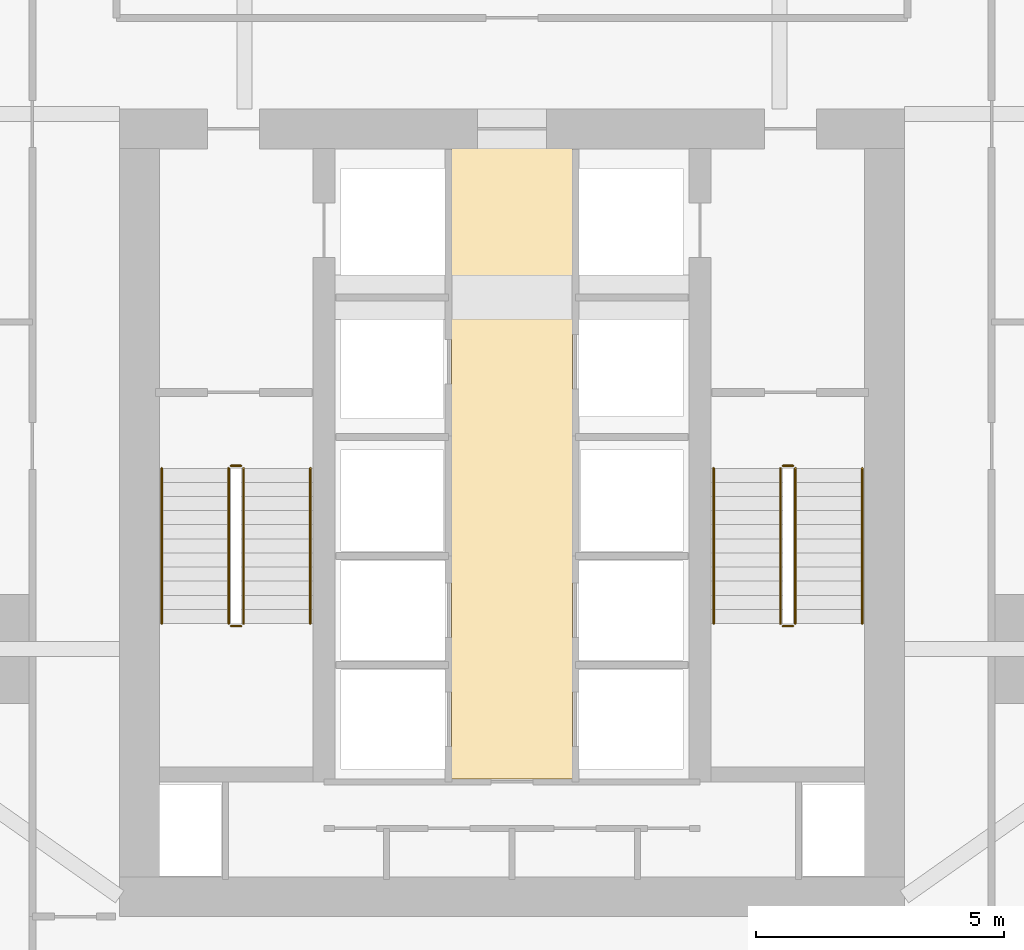
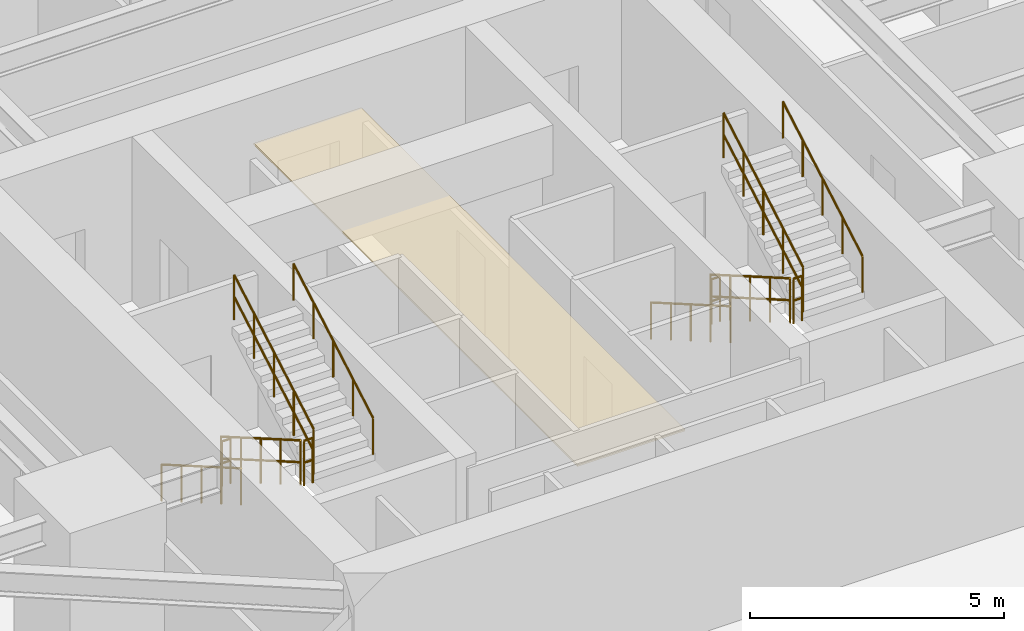
# One storey, part 28 of 29: 12 railings, 1 covering.
"""IFC4 building model written with IfcOpenShell, lengths in metres."""

from ifc_helpers import new_model, si_unit, direction, frame, origin, origin_2d, place, context, subcontext, project, spatial, polyline, circle, outline, extrude, material, layer, layer_set, type_object, element, save


model = new_model("IFC4")

# Units and contexts
model_context = context("Model", 3, precision=1e-05, world=origin(), true_north=direction((0.0, 1.0)))
body_context = subcontext(model_context, "Body", "Model", "MODEL_VIEW")
ifc_project = project(units=[si_unit("LENGTHUNIT", "METRE"), si_unit("AREAUNIT", "SQUARE_METRE"), si_unit("VOLUMEUNIT", "CUBIC_METRE"), si_unit("PLANEANGLEUNIT", "RADIAN"), si_unit("MASSUNIT", "GRAM", prefix="KILO")], contexts=[model_context])

# Site, building, storey
site_placement = place(None, origin())
site = spatial("IfcSite", under=ifc_project, at=site_placement, CompositionType="ELEMENT")
building_placement = place(site_placement, origin())
building = spatial("IfcBuilding", under=site, at=building_placement, Name="Krantzveldt Concourse Tower", CompositionType="ELEMENT")
storey_placement = place(building_placement, frame((0.0, 0.0, 60.550048828125)))
storey = spatial("IfcBuildingStorey", under=building, at=storey_placement, Name="L14", CompositionType="ELEMENT", Elevation=60.550048828125)

# Covering
ifc_material_1 = material(Name="Perforated acoustic mineral-fibre ceiling tile", Category="ceiling")
ifc_layer_1 = layer(ifc_material_1, 0.0400390625, Name="Perforated acoustic mineral-fibre ceiling tile", Category="ceiling")
ifc_layer_set_1 = layer_set([ifc_layer_1], Name="Perforated acoustic mineral-fibre ceiling tile (COV-CEIL-ACOUSTIC)")
covering_type = type_object("IfcCoveringType", Name="COV-CEIL-ACOUSTIC", PredefinedType="CEILING", material=ifc_layer_set_1)
covering_placement = place(storey_placement, frame((0.0, 0.0, 2.75)))
element("IfcCovering", 1, at=covering_placement, inside=storey, type_object=covering_type, Name="CLG-L14-LLB", PredefinedType="CEILING", context=body_context, shape_type="SweptSolid", body=[
    extrude(outline(polyline([(37.22509765625, 13.27490234375), (34.77490234375, 13.27490234375), (34.77490234375, 26.044921875), (37.22509765625, 26.044921875), (37.22509765625, 13.27490234375)])), origin(), (0.0, 0.0, 1.0), 0.0400390625),
])

# Railings
ifc_material_2 = material(Name="Stainless steel 316L", Category="steel")
ifc_layer_2 = layer(ifc_material_2, 0.06005859375, Name="Stainless steel 316L", Category="steel")
ifc_layer_set_2 = layer_set([ifc_layer_2], Name="Stainless steel 316L (RL-GUARD-1120)")
railing_type_1 = type_object("IfcRailingType", Name="RL-GUARD-1120", PredefinedType="GUARDRAIL", material=ifc_layer_set_2)
railing_1_placement = place(storey_placement, frame((30.280029296875, 19.550048828125, 0.16455078125)))
element("IfcRailing", 2, at=railing_1_placement, inside=storey, type_object=railing_type_1, Name="L14 ST-1 stair guard 1", PredefinedType="GUARDRAIL", context=body_context, shape_type="SweptSolid", body=[
    extrude(circle(Radius=0.02392578125, at=origin_2d()), frame((0.0, 0.0, 1.076171875), z_axis=(0.0, -0.865989039225, 0.500062979975), x_axis=(1.0, 0.0, 0.0)), (0.0, 0.0, 1.0), 3.6201171875),
    extrude(circle(Radius=0.02392578125, at=origin_2d()), frame((0.0, 0.0, 0.550048828125), z_axis=(0.0, -0.865989039225, 0.500062979975), x_axis=(1.0, 0.0, 0.0)), (0.0, 0.0, 1.0), 3.6201171875),
    extrude(circle(Radius=0.02099609375, at=origin_2d()), origin(), (0.0, 0.0, 1.0), 1.052001953125),
    extrude(circle(Radius=0.02099609375, at=origin_2d()), frame((0.0, -0.78369140625, 0.45263671875)), (0.0, 0.0, 1.0), 1.052001953125),
    extrude(circle(Radius=0.02099609375, at=origin_2d()), frame((0.0, -1.5673828125, 0.9052734375)), (0.0, 0.0, 1.0), 1.052001953125),
    extrude(circle(Radius=0.02099609375, at=origin_2d()), frame((0.0, -2.351318359375, 1.357666015625)), (0.0, 0.0, 1.0), 1.052001953125),
    extrude(circle(Radius=0.02099609375, at=origin_2d()), frame((0.0, -3.135009765625, 1.810302734375)), (0.0, 0.0, 1.0), 1.052001953125),
])
railing_2_placement = place(storey_placement, frame((30.330078125, 16.364990234375, 1.974853515625)))
element("IfcRailing", 3, at=railing_2_placement, inside=storey, type_object=railing_type_1, Name="L14 ST-1 stair guard 2", PredefinedType="GUARDRAIL", context=body_context, shape_type="SweptSolid", body=[
    extrude(circle(Radius=0.02392578125, at=origin_2d()), frame((0.0, 0.0, 1.076171875), z_axis=(1.0, 0.0, 0.0), x_axis=(0.0, 1.0, 0.0)), (0.0, 0.0, 1.0), 0.199951171875),
    extrude(circle(Radius=0.02392578125, at=origin_2d()), frame((0.0, 0.0, 0.550048828125), z_axis=(1.0, 0.0, 0.0), x_axis=(0.0, 1.0, 0.0)), (0.0, 0.0, 1.0), 0.199951171875),
    extrude(circle(Radius=0.02099609375, at=origin_2d()), origin(), (0.0, 0.0, 1.0), 1.052001953125),
    extrude(circle(Radius=0.02099609375, at=origin_2d()), frame((0.199951171875, 0.0, 0.0)), (0.0, 0.0, 1.0), 1.052001953125),
])
railing_3_placement = place(storey_placement, frame((30.580078125, 16.4150390625, 2.1396484375)))
element("IfcRailing", 4, at=railing_3_placement, inside=storey, type_object=railing_type_1, Name="L14 ST-1 stair guard 3", PredefinedType="GUARDRAIL", context=body_context, shape_type="SweptSolid", body=[
    extrude(circle(Radius=0.02392578125, at=origin_2d()), frame((0.0, 0.0, 1.076171875), z_axis=(0.0, 0.865989039225, 0.500062979975), x_axis=(-1.0, 0.0, 0.0)), (0.0, 0.0, 1.0), 3.6201171875),
    extrude(circle(Radius=0.02392578125, at=origin_2d()), frame((0.0, 0.0, 0.550048828125), z_axis=(0.0, 0.865989039225, 0.500062979975), x_axis=(-1.0, 0.0, 0.0)), (0.0, 0.0, 1.0), 3.6201171875),
    extrude(circle(Radius=0.02099609375, at=origin_2d()), origin(), (0.0, 0.0, 1.0), 1.052001953125),
    extrude(circle(Radius=0.02099609375, at=origin_2d()), frame((0.0, 0.78369140625, 0.45263671875)), (0.0, 0.0, 1.0), 1.052001953125),
    extrude(circle(Radius=0.02099609375, at=origin_2d()), frame((0.0, 1.5673828125, 0.9052734375)), (0.0, 0.0, 1.0), 1.052001953125),
    extrude(circle(Radius=0.02099609375, at=origin_2d()), frame((0.0, 2.351318359375, 1.357666015625)), (0.0, 0.0, 1.0), 1.052001953125),
    extrude(circle(Radius=0.02099609375, at=origin_2d()), frame((0.0, 3.135009765625, 1.810302734375)), (0.0, 0.0, 1.0), 1.052001953125),
])
railing_4_placement = place(storey_placement, frame((30.330078125, 19.60009765625, 0.0)))
element("IfcRailing", 5, at=railing_4_placement, inside=storey, type_object=railing_type_1, Name="L14 ST-1 stair guard 4", PredefinedType="GUARDRAIL", context=body_context, shape_type="SweptSolid", body=[
    extrude(circle(Radius=0.02392578125, at=origin_2d()), frame((0.0, 0.0, 1.076171875), z_axis=(1.0, 0.0, 0.0), x_axis=(0.0, 1.0, 0.0)), (0.0, 0.0, 1.0), 0.199951171875),
    extrude(circle(Radius=0.02392578125, at=origin_2d()), frame((0.0, 0.0, 0.550048828125), z_axis=(1.0, 0.0, 0.0), x_axis=(0.0, 1.0, 0.0)), (0.0, 0.0, 1.0), 0.199951171875),
    extrude(circle(Radius=0.02099609375, at=origin_2d()), origin(), (0.0, 0.0, 1.0), 1.052001953125),
    extrude(circle(Radius=0.02099609375, at=origin_2d()), frame((0.199951171875, 0.0, 0.0)), (0.0, 0.0, 1.0), 1.052001953125),
])
railing_5_placement = place(storey_placement, frame((41.419921875, 19.550048828125, 0.16455078125)))
element("IfcRailing", 6, at=railing_5_placement, inside=storey, type_object=railing_type_1, Name="L14 ST-2 stair guard 1", PredefinedType="GUARDRAIL", context=body_context, shape_type="SweptSolid", body=[
    extrude(circle(Radius=0.02392578125, at=origin_2d()), frame((0.0, 0.0, 1.076171875), z_axis=(0.0, -0.865989039225, 0.500062979975), x_axis=(1.0, 0.0, 0.0)), (0.0, 0.0, 1.0), 3.6201171875),
    extrude(circle(Radius=0.02392578125, at=origin_2d()), frame((0.0, 0.0, 0.550048828125), z_axis=(0.0, -0.865989039225, 0.500062979975), x_axis=(1.0, 0.0, 0.0)), (0.0, 0.0, 1.0), 3.6201171875),
    extrude(circle(Radius=0.02099609375, at=origin_2d()), origin(), (0.0, 0.0, 1.0), 1.052001953125),
    extrude(circle(Radius=0.02099609375, at=origin_2d()), frame((0.0, -0.78369140625, 0.45263671875)), (0.0, 0.0, 1.0), 1.052001953125),
    extrude(circle(Radius=0.02099609375, at=origin_2d()), frame((0.0, -1.5673828125, 0.9052734375)), (0.0, 0.0, 1.0), 1.052001953125),
    extrude(circle(Radius=0.02099609375, at=origin_2d()), frame((0.0, -2.351318359375, 1.357666015625)), (0.0, 0.0, 1.0), 1.052001953125),
    extrude(circle(Radius=0.02099609375, at=origin_2d()), frame((0.0, -3.135009765625, 1.810302734375)), (0.0, 0.0, 1.0), 1.052001953125),
])
railing_6_placement = place(storey_placement, frame((41.469970703125, 16.364990234375, 1.974853515625)))
element("IfcRailing", 7, at=railing_6_placement, inside=storey, type_object=railing_type_1, Name="L14 ST-2 stair guard 2", PredefinedType="GUARDRAIL", context=body_context, shape_type="SweptSolid", body=[
    extrude(circle(Radius=0.02392578125, at=origin_2d()), frame((0.0, 0.0, 1.076171875), z_axis=(1.0, 0.0, 0.0), x_axis=(0.0, 1.0, 0.0)), (0.0, 0.0, 1.0), 0.199951171875),
    extrude(circle(Radius=0.02392578125, at=origin_2d()), frame((0.0, 0.0, 0.550048828125), z_axis=(1.0, 0.0, 0.0), x_axis=(0.0, 1.0, 0.0)), (0.0, 0.0, 1.0), 0.199951171875),
    extrude(circle(Radius=0.02099609375, at=origin_2d()), origin(), (0.0, 0.0, 1.0), 1.052001953125),
    extrude(circle(Radius=0.02099609375, at=origin_2d()), frame((0.199951171875, 0.0, 0.0)), (0.0, 0.0, 1.0), 1.052001953125),
])
railing_7_placement = place(storey_placement, frame((41.719970703125, 16.4150390625, 2.1396484375)))
element("IfcRailing", 8, at=railing_7_placement, inside=storey, type_object=railing_type_1, Name="L14 ST-2 stair guard 3", PredefinedType="GUARDRAIL", context=body_context, shape_type="SweptSolid", body=[
    extrude(circle(Radius=0.02392578125, at=origin_2d()), frame((0.0, 0.0, 1.076171875), z_axis=(0.0, 0.865989039225, 0.500062979975), x_axis=(-1.0, 0.0, 0.0)), (0.0, 0.0, 1.0), 3.6201171875),
    extrude(circle(Radius=0.02392578125, at=origin_2d()), frame((0.0, 0.0, 0.550048828125), z_axis=(0.0, 0.865989039225, 0.500062979975), x_axis=(-1.0, 0.0, 0.0)), (0.0, 0.0, 1.0), 3.6201171875),
    extrude(circle(Radius=0.02099609375, at=origin_2d()), origin(), (0.0, 0.0, 1.0), 1.052001953125),
    extrude(circle(Radius=0.02099609375, at=origin_2d()), frame((0.0, 0.78369140625, 0.45263671875)), (0.0, 0.0, 1.0), 1.052001953125),
    extrude(circle(Radius=0.02099609375, at=origin_2d()), frame((0.0, 1.5673828125, 0.9052734375)), (0.0, 0.0, 1.0), 1.052001953125),
    extrude(circle(Radius=0.02099609375, at=origin_2d()), frame((0.0, 2.351318359375, 1.357666015625)), (0.0, 0.0, 1.0), 1.052001953125),
    extrude(circle(Radius=0.02099609375, at=origin_2d()), frame((0.0, 3.135009765625, 1.810302734375)), (0.0, 0.0, 1.0), 1.052001953125),
])
railing_8_placement = place(storey_placement, frame((41.469970703125, 19.60009765625, 0.0)))
element("IfcRailing", 9, at=railing_8_placement, inside=storey, type_object=railing_type_1, Name="L14 ST-2 stair guard 4", PredefinedType="GUARDRAIL", context=body_context, shape_type="SweptSolid", body=[
    extrude(circle(Radius=0.02392578125, at=origin_2d()), frame((0.0, 0.0, 1.076171875), z_axis=(1.0, 0.0, 0.0), x_axis=(0.0, 1.0, 0.0)), (0.0, 0.0, 1.0), 0.199951171875),
    extrude(circle(Radius=0.02392578125, at=origin_2d()), frame((0.0, 0.0, 0.550048828125), z_axis=(1.0, 0.0, 0.0), x_axis=(0.0, 1.0, 0.0)), (0.0, 0.0, 1.0), 0.199951171875),
    extrude(circle(Radius=0.02099609375, at=origin_2d()), origin(), (0.0, 0.0, 1.0), 1.052001953125),
    extrude(circle(Radius=0.02099609375, at=origin_2d()), frame((0.199951171875, 0.0, 0.0)), (0.0, 0.0, 1.0), 1.052001953125),
])
ifc_layer_3 = layer(ifc_material_2, 0.050048828125, Name="Stainless steel 316L", Category="steel")
ifc_layer_set_3 = layer_set([ifc_layer_3], Name="Stainless steel 316L (RL-HANDRAIL-920)")
railing_type_2 = type_object("IfcRailingType", Name="RL-HANDRAIL-920", PredefinedType="HANDRAIL", material=ifc_layer_set_3)
railing_9_placement = place(storey_placement, frame((28.929931640625, 19.550048828125, 0.16455078125)))
element("IfcRailing", 10, at=railing_9_placement, inside=storey, type_object=railing_type_2, Name="L14 ST-1 stair handrail 1", PredefinedType="HANDRAIL", context=body_context, shape_type="SweptSolid", body=[
    extrude(circle(Radius=0.02392578125, at=origin_2d()), frame((0.0, 0.0, 0.8759765625), z_axis=(0.0, -0.865989039225, 0.500062979975), x_axis=(1.0, 0.0, 0.0)), (0.0, 0.0, 1.0), 3.6201171875),
    extrude(circle(Radius=0.02099609375, at=origin_2d()), origin(), (0.0, 0.0, 1.0), 0.851806640625),
    extrude(circle(Radius=0.02099609375, at=origin_2d()), frame((0.0, -0.78369140625, 0.45263671875)), (0.0, 0.0, 1.0), 0.851806640625),
    extrude(circle(Radius=0.02099609375, at=origin_2d()), frame((0.0, -1.5673828125, 0.9052734375)), (0.0, 0.0, 1.0), 0.851806640625),
    extrude(circle(Radius=0.02099609375, at=origin_2d()), frame((0.0, -2.351318359375, 1.357666015625)), (0.0, 0.0, 1.0), 0.851806640625),
    extrude(circle(Radius=0.02099609375, at=origin_2d()), frame((0.0, -3.135009765625, 1.810302734375)), (0.0, 0.0, 1.0), 0.851806640625),
])
railing_10_placement = place(storey_placement, frame((31.929931640625, 16.4150390625, 2.1396484375)))
element("IfcRailing", 11, at=railing_10_placement, inside=storey, type_object=railing_type_2, Name="L14 ST-1 stair handrail 2", PredefinedType="HANDRAIL", context=body_context, shape_type="SweptSolid", body=[
    extrude(circle(Radius=0.02392578125, at=origin_2d()), frame((0.0, 0.0, 0.8759765625), z_axis=(0.0, 0.865989039225, 0.500062979975), x_axis=(-1.0, 0.0, 0.0)), (0.0, 0.0, 1.0), 3.6201171875),
    extrude(circle(Radius=0.02099609375, at=origin_2d()), origin(), (0.0, 0.0, 1.0), 0.851806640625),
    extrude(circle(Radius=0.02099609375, at=origin_2d()), frame((0.0, 0.78369140625, 0.45263671875)), (0.0, 0.0, 1.0), 0.851806640625),
    extrude(circle(Radius=0.02099609375, at=origin_2d()), frame((0.0, 1.5673828125, 0.9052734375)), (0.0, 0.0, 1.0), 0.851806640625),
    extrude(circle(Radius=0.02099609375, at=origin_2d()), frame((0.0, 2.351318359375, 1.357666015625)), (0.0, 0.0, 1.0), 0.851806640625),
    extrude(circle(Radius=0.02099609375, at=origin_2d()), frame((0.0, 3.135009765625, 1.810302734375)), (0.0, 0.0, 1.0), 0.851806640625),
])
railing_11_placement = place(storey_placement, frame((40.070068359375, 19.550048828125, 0.16455078125)))
element("IfcRailing", 12, at=railing_11_placement, inside=storey, type_object=railing_type_2, Name="L14 ST-2 stair handrail 1", PredefinedType="HANDRAIL", context=body_context, shape_type="SweptSolid", body=[
    extrude(circle(Radius=0.02392578125, at=origin_2d()), frame((0.0, 0.0, 0.8759765625), z_axis=(0.0, -0.865989039225, 0.500062979975), x_axis=(1.0, 0.0, 0.0)), (0.0, 0.0, 1.0), 3.6201171875),
    extrude(circle(Radius=0.02099609375, at=origin_2d()), origin(), (0.0, 0.0, 1.0), 0.851806640625),
    extrude(circle(Radius=0.02099609375, at=origin_2d()), frame((0.0, -0.78369140625, 0.45263671875)), (0.0, 0.0, 1.0), 0.851806640625),
    extrude(circle(Radius=0.02099609375, at=origin_2d()), frame((0.0, -1.5673828125, 0.9052734375)), (0.0, 0.0, 1.0), 0.851806640625),
    extrude(circle(Radius=0.02099609375, at=origin_2d()), frame((0.0, -2.351318359375, 1.357666015625)), (0.0, 0.0, 1.0), 0.851806640625),
    extrude(circle(Radius=0.02099609375, at=origin_2d()), frame((0.0, -3.135009765625, 1.810302734375)), (0.0, 0.0, 1.0), 0.851806640625),
])
railing_12_placement = place(storey_placement, frame((43.070068359375, 16.4150390625, 2.1396484375)))
element("IfcRailing", 13, at=railing_12_placement, inside=storey, type_object=railing_type_2, Name="L14 ST-2 stair handrail 2", PredefinedType="HANDRAIL", context=body_context, shape_type="SweptSolid", body=[
    extrude(circle(Radius=0.02392578125, at=origin_2d()), frame((0.0, 0.0, 0.8759765625), z_axis=(0.0, 0.865989039225, 0.500062979975), x_axis=(-1.0, 0.0, 0.0)), (0.0, 0.0, 1.0), 3.6201171875),
    extrude(circle(Radius=0.02099609375, at=origin_2d()), origin(), (0.0, 0.0, 1.0), 0.851806640625),
    extrude(circle(Radius=0.02099609375, at=origin_2d()), frame((0.0, 0.78369140625, 0.45263671875)), (0.0, 0.0, 1.0), 0.851806640625),
    extrude(circle(Radius=0.02099609375, at=origin_2d()), frame((0.0, 1.5673828125, 0.9052734375)), (0.0, 0.0, 1.0), 0.851806640625),
    extrude(circle(Radius=0.02099609375, at=origin_2d()), frame((0.0, 2.351318359375, 1.357666015625)), (0.0, 0.0, 1.0), 0.851806640625),
    extrude(circle(Radius=0.02099609375, at=origin_2d()), frame((0.0, 3.135009765625, 1.810302734375)), (0.0, 0.0, 1.0), 0.851806640625),
])

save(model, "model.ifc")
